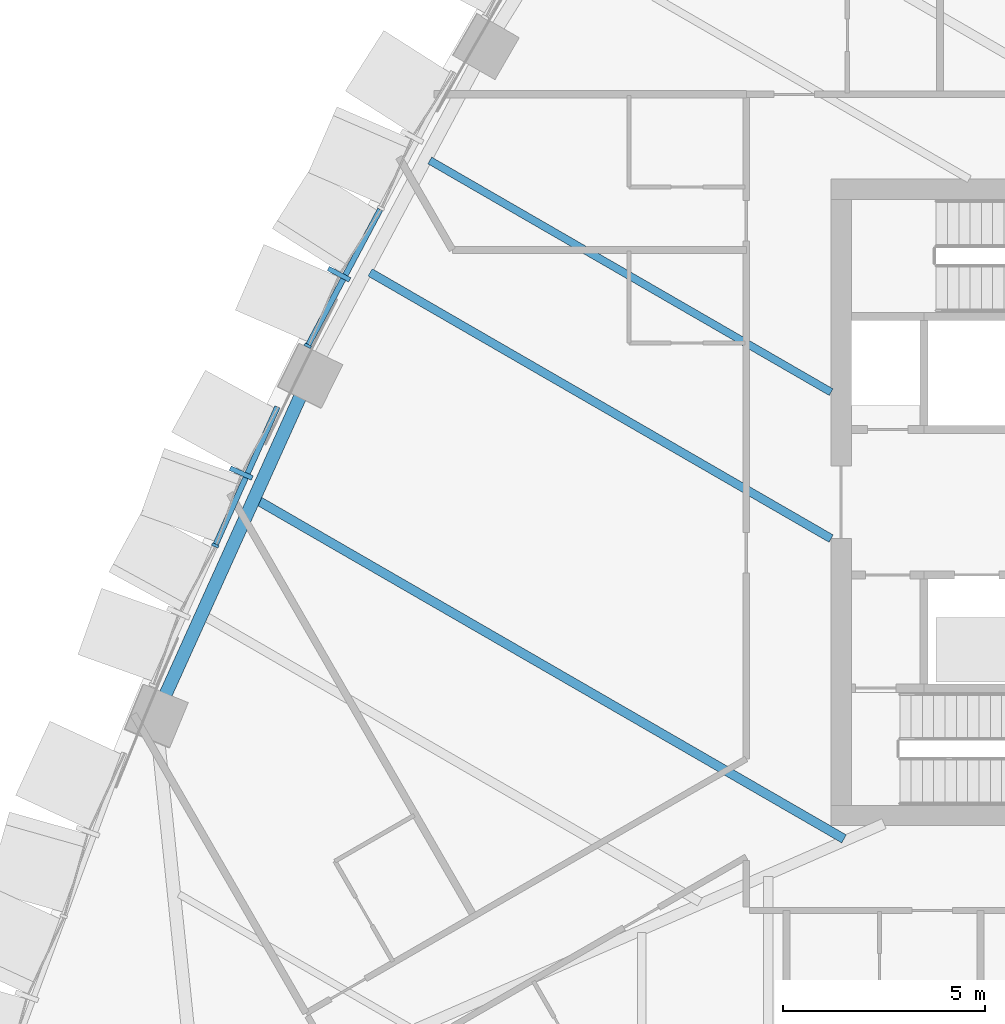
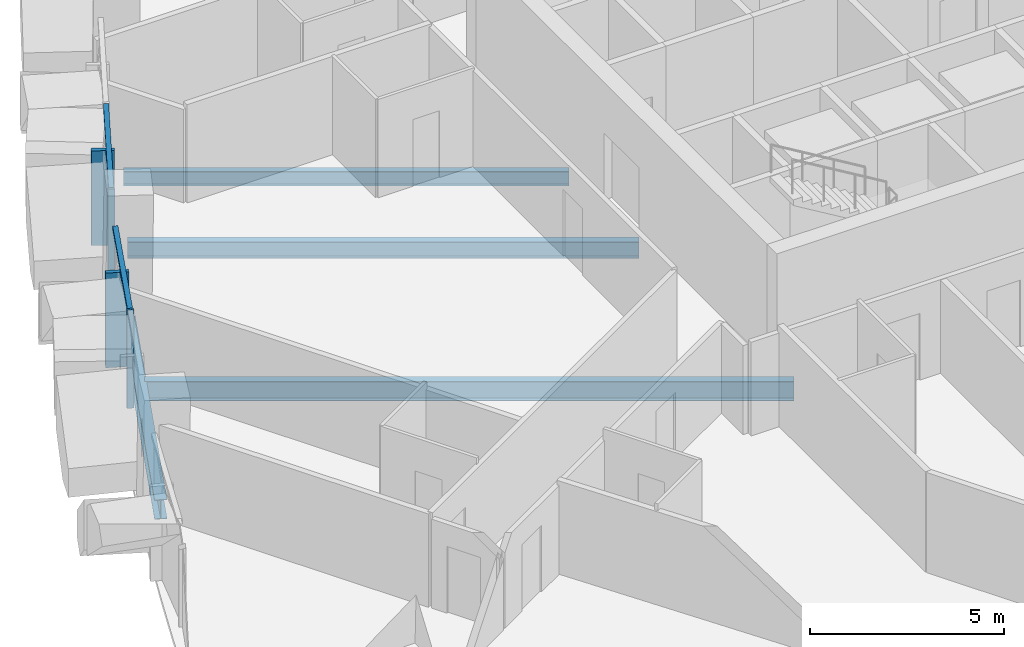
# One storey, part 3 of 22: 6 members, 4 beams, 2 elements without a shape of their own.
"""IFC4 building model written with IfcOpenShell, lengths in metres."""

from ifc_helpers import new_model, si_unit, direction, frame, origin, origin_2d, place, context, subcontext, project, spatial, rectangle, i_section, extrude, material, layer, layer_set, material_profile, profile_set, type_object, element, aggregate, save


model = new_model("IFC4")

# Units and contexts
model_context = context("Model", 3, precision=1e-05, world=origin(), true_north=direction((0.0, 1.0)))
body_context = subcontext(model_context, "Body", "Model", "MODEL_VIEW")
ifc_project = project(units=[si_unit("LENGTHUNIT", "METRE"), si_unit("AREAUNIT", "SQUARE_METRE"), si_unit("VOLUMEUNIT", "CUBIC_METRE"), si_unit("PLANEANGLEUNIT", "RADIAN"), si_unit("MASSUNIT", "GRAM", prefix="KILO")], contexts=[model_context])

# Site, building, storey
site_placement = place(None, origin())
site = spatial("IfcSite", under=ifc_project, at=site_placement, CompositionType="ELEMENT")
building_placement = place(site_placement, origin())
building = spatial("IfcBuilding", under=site, at=building_placement, Name="Sierra Prisma Convention Tower", CompositionType="ELEMENT")
storey_placement = place(building_placement, frame((0.0, 0.0, 66.5)))
storey = spatial("IfcBuildingStorey", under=building, at=storey_placement, Name="L12", CompositionType="ELEMENT", Elevation=66.5)

# Curtain wall, member
ifc_material_1 = material(Name="Aluminium and glass curtain wall", Category="aluminium")
ifc_layer = layer(ifc_material_1, 0.179931640625)
ifc_layer_set = layer_set([ifc_layer], Name="CW-2 Faceted crystal curtain wall")
curtain_wall_type = type_object("IfcCurtainWallType", Name="CW-2 Faceted crystal curtain wall", PredefinedType="NOTDEFINED", material=ifc_layer_set)
curtain_wall_1_placement = place(storey_placement, origin())
curtain_wall_1 = element("IfcCurtainWall", 1, at=curtain_wall_1_placement, inside=storey, type_object=curtain_wall_type, Name="CW-2 NW4 L12", PredefinedType="NOTDEFINED")
ifc_material_2 = material(Name="Aluminium 6063-T6 bronze anodised", Category="aluminium")
ifc_material_profile_1 = material_profile(ifc_material_2, rectangle(XDim=0.1201171875, YDim=0.60009765625, at=origin_2d()), Name="ALU RIDGE BLADE 120x600")
ifc_profile_set_1 = profile_set([ifc_material_profile_1], Name="Aluminium 6063-T6 bronze anodised")
member_type_1 = type_object("IfcMemberType", Name="CW hip bronze", PredefinedType="MULLION", material=ifc_profile_set_1)
member_1_placement = place(storey_placement, frame((-23.17919921875, 5.6474609375, 0.0), z_axis=(0.0, 0.0, 1.0), x_axis=(-0.469078880468, -0.88315627377, 0.0)))
member_1 = element("IfcMember", 2, at=member_1_placement, type_object=member_type_1, Name="CW-2 ridge NW4.2", PredefinedType="MULLION", context=body_context, shape_type="SweptSolid", body=[
    extrude(rectangle(XDim=0.1201171875, YDim=0.60009765625, at=origin_2d()), origin(), (0.0, 0.0, 1.0), 2.97998046875),
])

curtain_wall_2_placement = place(storey_placement, origin())
curtain_wall_2 = element("IfcCurtainWall", 3, at=curtain_wall_2_placement, inside=storey, type_object=curtain_wall_type, Name="CW-2 NW5 L12", PredefinedType="NOTDEFINED")
member_2_placement = place(storey_placement, frame((-25.599365234375, 0.724609375, 0.0), z_axis=(0.0, 0.0, 1.0), x_axis=(-0.409132433355, -0.91247501444, 0.0)))
member_2 = element("IfcMember", 4, at=member_2_placement, type_object=member_type_1, Name="CW-2 ridge NW5.1", PredefinedType="MULLION", context=body_context, shape_type="SweptSolid", body=[
    extrude(rectangle(XDim=0.1201171875, YDim=0.60009765625, at=origin_2d()), origin(), (0.0, 0.0, 1.0), 2.97998046875),
])

# Member
ifc_material_3 = material(Name="Aluminium 6063-T6 bronze anodised", Category="aluminium")
ifc_material_profile_2 = material_profile(ifc_material_3, rectangle(XDim=0.179931640625, YDim=0.070068359375, at=origin_2d()), Name="ALU MULLION 70x180")
ifc_profile_set_2 = profile_set([ifc_material_profile_2], Name="Aluminium 6063-T6 bronze anodised")
member_type_2 = type_object("IfcMemberType", Name="CW mullion bronze", PredefinedType="MULLION", material=ifc_profile_set_2)
member_3_placement = place(storey_placement, frame((-23.9521484375, 3.87451171875, 0.0), z_axis=(0.0, 0.0, 1.0), x_axis=(0.88315627377, -0.469078880468, 0.0)))
member_3 = element("IfcMember", 5, at=member_3_placement, type_object=member_type_2, Name="CW-1 mullion NW4.3", PredefinedType="MULLION", context=body_context, shape_type="SweptSolid", body=[
    extrude(rectangle(XDim=0.179931640625, YDim=0.070068359375, at=origin_2d()), origin(), (0.0, 0.0, 1.0), 3.10009765625),
])

member_4_placement = place(storey_placement, frame((-26.241943359375, -1.066162109375, 0.0), z_axis=(0.0, 0.0, 1.0), x_axis=(0.91247501444, -0.409132433355, 0.0)))
member_4 = element("IfcMember", 6, at=member_4_placement, type_object=member_type_2, Name="CW-1 mullion NW5.2", PredefinedType="MULLION", context=body_context, shape_type="SweptSolid", body=[
    extrude(rectangle(XDim=0.179931640625, YDim=0.070068359375, at=origin_2d()), origin(), (0.0, 0.0, 1.0), 3.10009765625),
])

ifc_material_4 = material(Name="Aluminium 6063-T6 bronze anodised", Category="aluminium")
ifc_material_profile_3 = material_profile(ifc_material_4, rectangle(XDim=0.139892578125, YDim=0.1201171875, at=origin_2d()), Name="ALU TRANSOM 120x140")
ifc_profile_set_3 = profile_set([ifc_material_profile_3], Name="Aluminium 6063-T6 bronze anodised")
member_type_3 = type_object("IfcMemberType", Name="CW transom bronze", PredefinedType="USERDEFINED", material=ifc_profile_set_3)
member_5_placement = place(storey_placement, frame((-22.159423828125, 7.24951171875, 3.0400390625), z_axis=(-0.469078223668, -0.883156622622, 0.0), x_axis=(0.883156622622, -0.469078223668, 0.0)))
member_5 = element("IfcMember", 7, at=member_5_placement, type_object=member_type_3, Name="CW-1 transom NW4.2", ObjectType="TRANSOM", PredefinedType="USERDEFINED", context=body_context, shape_type="SweptSolid", body=[
    extrude(rectangle(XDim=0.139892578125, YDim=0.1201171875, at=origin_2d()), origin(), (0.0, 0.0, 1.0), 3.786376953125),
])

aggregate(curtain_wall_1, [member_3, member_5, member_1])

member_6_placement = place(storey_placement, frame((-24.703857421875, 2.36376953125, 3.0400390625), z_axis=(-0.409134959192, -0.912473881909, 0.0), x_axis=(0.912473881909, -0.409134959192, 0.0)))
member_6 = element("IfcMember", 8, at=member_6_placement, type_object=member_type_3, Name="CW-1 transom NW5.1", ObjectType="TRANSOM", PredefinedType="USERDEFINED", context=body_context, shape_type="SweptSolid", body=[
    extrude(rectangle(XDim=0.139892578125, YDim=0.1201171875, at=origin_2d()), origin(), (0.0, 0.0, 1.0), 3.72412109375),
])

aggregate(curtain_wall_2, [member_4, member_6, member_2])

# Beams
ifc_material_5 = material(Name="Steel ASTM A992 Gr 50", Category="steel")
ifc_material_profile_4 = material_profile(ifc_material_5, i_section(OverallWidth=0.18994140625, OverallDepth=0.45703125, WebThickness=0.009033203125, FlangeThickness=0.014404296875, at=origin_2d()), Name="W460x74")
ifc_profile_set_4 = profile_set([ifc_material_profile_4], Name="Steel ASTM A992 Gr 50")
beam_type_1 = type_object("IfcBeamType", Name="Floor joist W460x74", PredefinedType="JOIST", material=ifc_profile_set_4)
beam_1_placement = place(storey_placement, frame((-20.932861328125, 8.4619140625, -0.37841796875), z_axis=(0.866020755578, -0.500008050843, 0.0), x_axis=(0.500008050843, 0.866020755578, 0.0)))
element("IfcBeam", 9, at=beam_1_placement, inside=storey, type_object=beam_type_1, Name="Floor joist L12 NW10", PredefinedType="JOIST", context=body_context, shape_type="SweptSolid", body=[
    extrude(i_section(OverallWidth=0.18994140625, OverallDepth=0.45703125, WebThickness=0.009033203125, FlangeThickness=0.014404296875, at=origin_2d()), origin(), (0.0, 0.0, 1.0), 11.469482421875),
])
ifc_material_6 = material(Name="Steel ASTM A992 Gr 50", Category="steel")
ifc_material_profile_5 = material_profile(ifc_material_6, i_section(OverallWidth=0.208984375, OverallDepth=0.532958984375, WebThickness=0.01025390625, FlangeThickness=0.015625, at=origin_2d()), Name="W530x92")
ifc_profile_set_5 = profile_set([ifc_material_profile_5], Name="Steel ASTM A992 Gr 50")
beam_type_2 = type_object("IfcBeamType", Name="Floor joist W530x92", PredefinedType="JOIST", material=ifc_profile_set_5)
beam_2_placement = place(storey_placement, frame((-22.412353515625, 5.692138671875, -0.41650390625), z_axis=(0.866027315751, -0.499996688362, 0.0), x_axis=(0.499996688362, 0.866027315751, 0.0)))
element("IfcBeam", 10, at=beam_2_placement, inside=storey, type_object=beam_type_2, Name="Floor joist L12 NW11", PredefinedType="JOIST", context=body_context, shape_type="SweptSolid", body=[
    extrude(i_section(OverallWidth=0.208984375, OverallDepth=0.532958984375, WebThickness=0.01025390625, FlangeThickness=0.015625, at=origin_2d()), origin(), (0.0, 0.0, 1.0), 13.177734375),
])
ifc_material_7 = material(Name="Steel ASTM A992 Gr 50", Category="steel")
ifc_material_profile_6 = material_profile(ifc_material_7, i_section(OverallWidth=0.22802734375, OverallDepth=0.60302734375, WebThickness=0.010498046875, FlangeThickness=0.014892578125, at=origin_2d()), Name="W610x101")
ifc_profile_set_6 = profile_set([ifc_material_profile_6], Name="Steel ASTM A992 Gr 50")
beam_type_3 = type_object("IfcBeamType", Name="Floor joist W610x101", PredefinedType="JOIST", material=ifc_profile_set_6)
beam_3_placement = place(storey_placement, frame((-25.179931640625, 0.042236328125, -0.451416015625), z_axis=(0.866026037991, -0.49999890152, 0.0), x_axis=(0.49999890152, 0.866026037991, 0.0)))
element("IfcBeam", 11, at=beam_3_placement, inside=storey, type_object=beam_type_3, Name="Floor joist L12 NW13", PredefinedType="JOIST", context=body_context, shape_type="SweptSolid", body=[
    extrude(i_section(OverallWidth=0.22802734375, OverallDepth=0.60302734375, WebThickness=0.010498046875, FlangeThickness=0.014892578125, at=origin_2d()), origin(), (0.0, 0.0, 1.0), 16.74169921875),
])
ifc_material_8 = material(Name="Steel ASTM A992 Gr 50", Category="steel")
ifc_material_profile_7 = material_profile(ifc_material_8, i_section(OverallWidth=0.324951171875, OverallDepth=0.615966796875, WebThickness=0.013916015625, FlangeThickness=0.021484375, at=origin_2d()), Name="W610x174")
ifc_profile_set_7 = profile_set([ifc_material_profile_7], Name="Steel ASTM A992 Gr 50")
beam_type_4 = type_object("IfcBeamType", Name="Spandrel beam W610x174", PredefinedType="BEAM", material=ifc_profile_set_7)
beam_4_placement = place(storey_placement, frame((-24.105712890625, 2.693115234375, -0.4580078125), z_axis=(-0.411835355933, -0.911258272721, 0.0), x_axis=(0.911258272721, -0.411835355933, 0.0)))
element("IfcBeam", 12, at=beam_4_placement, inside=storey, type_object=beam_type_4, Name="Spandrel L12-17", PredefinedType="BEAM", context=body_context, shape_type="SweptSolid", body=[
    extrude(i_section(OverallWidth=0.324951171875, OverallDepth=0.615966796875, WebThickness=0.013916015625, FlangeThickness=0.021484375, at=origin_2d()), origin(), (0.0, 0.0, 1.0), 8.286865234375),
])

save(model, "model.ifc")
